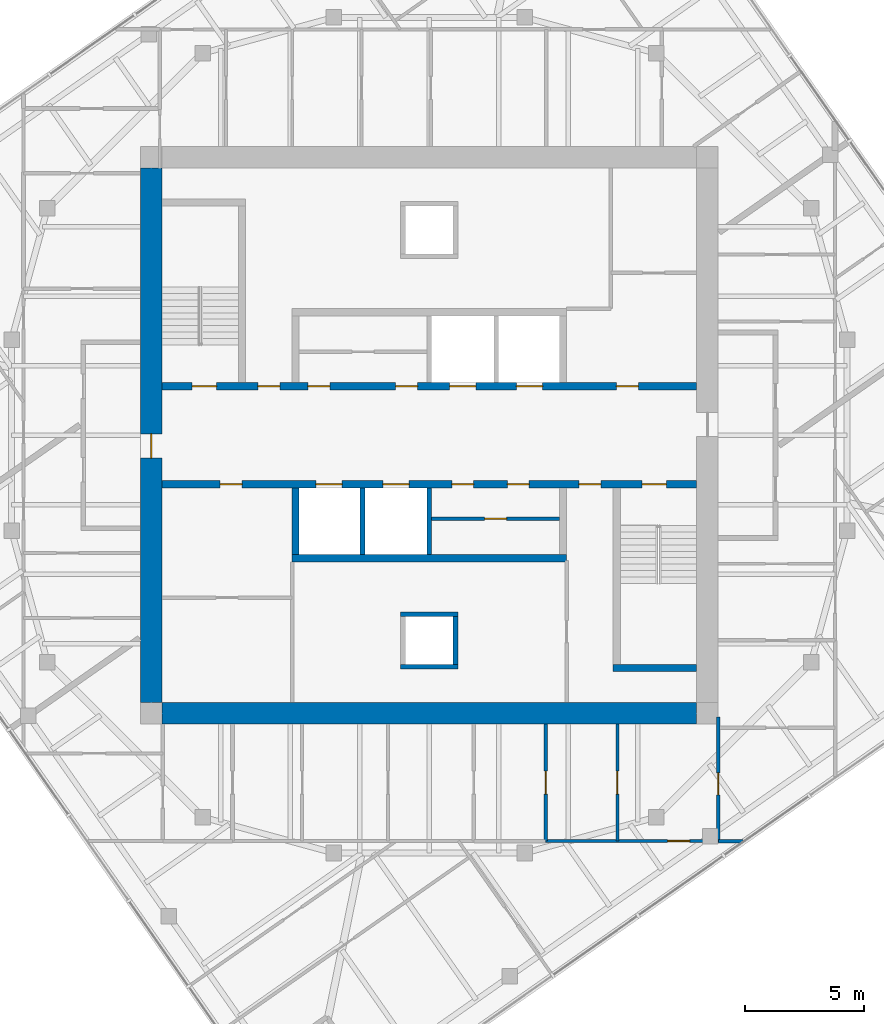
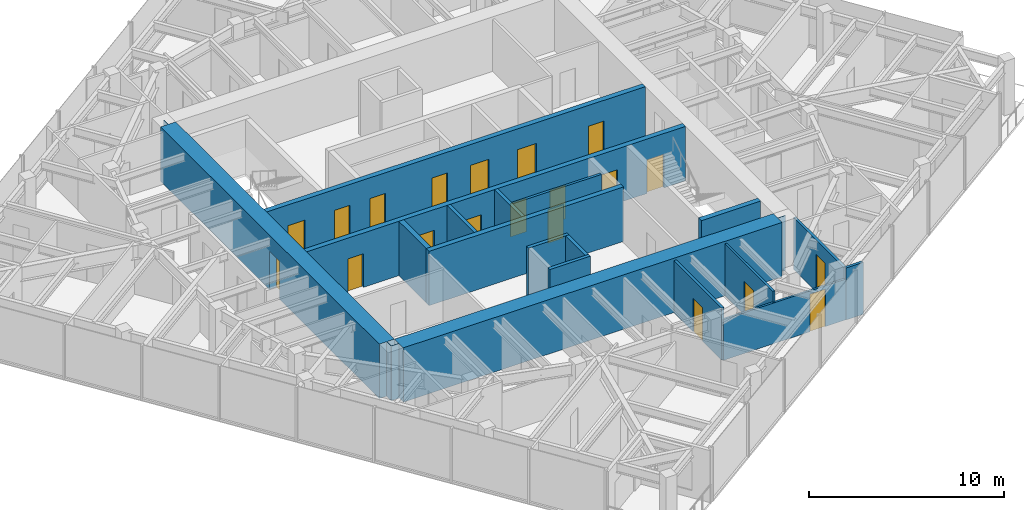
# One storey, part 8 of 12: 20 doors, 18 walls, 20 openings.
"""IFC4 building model written with IfcOpenShell, lengths in metres."""

import ifcopenshell
import ifcopenshell.guid

model = None  # the IFC model being written
_history = None  # IfcOwnerHistory: only IFC2X3 demands one
_inside = {}  # id of a spatial element -> (the spatial element, [elements in it])
_under = {}  # id of a project, library or spatial element -> (it, [spatial elements below it])
_declared = {}  # id of a project -> (the project, [libraries it declares])
_typed = {}  # id of a type object -> (the type object, [elements of that type])
_made_of = {}  # id of a material, layer set ... -> (it, [elements and type objects made of it])


def new_model(schema):
    """Start an empty IFC model of exactly this schema.

    Asked for "IFC4X3", IfcOpenShell would pick the latest addendum, in which some entities
    have other attributes; the version numbers below select the first issue.
    IFC2X3 requires an IfcOwnerHistory on every rooted entity: one is made here for all.
    """
    global model, _history
    if schema == "IFC4X3":
        model = ifcopenshell.file(schema_version=(4, 3, 0, 0))
    else:
        model = ifcopenshell.file(schema=schema)
    _inside.clear()
    _under.clear()
    _declared.clear()
    _typed.clear()
    _made_of.clear()
    _history = None
    if model.schema == "IFC2X3":
        org = make("IfcOrganization", Name="unknown")
        user = make(
            "IfcPersonAndOrganization",
            ThePerson=make("IfcPerson", FamilyName="unknown"),
            TheOrganization=org,
        )
        app = make(
            "IfcApplication",
            ApplicationDeveloper=org,
            Version="unknown",
            ApplicationFullName="unknown",
            ApplicationIdentifier="unknown",
        )
        _history = make(
            "IfcOwnerHistory",
            OwningUser=user,
            OwningApplication=app,
            ChangeAction="ADDED",
            CreationDate=0,
        )
    return model


def make(cls, **values):
    """One entity of the class cls with the attributes given. An attribute that is None is left unset."""
    return model.create_entity(
        cls, **{name: value for name, value in values.items() if value is not None}
    )


def rooted(cls, **values):
    """An entity with a GlobalId (a new one), such as an element, a storey or a relation."""
    return make(cls, GlobalId=ifcopenshell.guid.new(), OwnerHistory=_history, **values)


def si_unit(unit_type, name, prefix=None):
    """IfcSIUnit, for example si_unit("LENGTHUNIT", "METRE", prefix="MILLI")."""
    return make("IfcSIUnit", UnitType=unit_type, Prefix=prefix, Name=name)


def assignment(units):
    """IfcUnitAssignment: the units of a project."""
    return None if units is None else make("IfcUnitAssignment", Units=units)


def point(xyz):
    """IfcCartesianPoint."""
    return None if xyz is None else make("IfcCartesianPoint", Coordinates=xyz)


def direction(xyz):
    """IfcDirection."""
    return None if xyz is None else make("IfcDirection", DirectionRatios=xyz)


def frame(location, z_axis=None, x_axis=None):
    """IfcAxis2Placement3D, a coordinate frame: its origin and axes. An axis left out is left unset."""
    return make(
        "IfcAxis2Placement3D",
        Location=point(location),
        Axis=direction(z_axis),
        RefDirection=direction(x_axis),
    )


def frame_2d(location, x_axis=None):
    """IfcAxis2Placement2D, a coordinate frame in the plane: its origin and x axis."""
    return make(
        "IfcAxis2Placement2D", Location=point(location), RefDirection=direction(x_axis)
    )


def origin():
    """The frame at (0, 0, 0) with its axes left unset."""
    return frame((0.0, 0.0, 0.0))


def place(relative_to, where):
    """IfcLocalPlacement: puts the frame where relative to a parent placement (None: the world)."""
    return make(
        "IfcLocalPlacement", PlacementRelTo=relative_to, RelativePlacement=where
    )


def context(
    kind, dimensions, precision=None, world=None, true_north=None, identifier=None
):
    """IfcGeometricRepresentationContext, for example the 3D "Model" context."""
    return make(
        "IfcGeometricRepresentationContext",
        ContextIdentifier=identifier,
        ContextType=kind,
        CoordinateSpaceDimension=dimensions,
        Precision=precision,
        WorldCoordinateSystem=world,
        TrueNorth=true_north,
    )


def subcontext(parent, identifier, kind, view, scale=None):
    """IfcGeometricRepresentationSubContext, for example "Body" below "Model"."""
    return make(
        "IfcGeometricRepresentationSubContext",
        ContextIdentifier=identifier,
        ContextType=kind,
        ParentContext=parent,
        TargetScale=scale,
        TargetView=view,
    )


def project(units=None, contexts=None):
    """IfcProject with its units and contexts."""
    return rooted(
        "IfcProject",
        Name="project",
        RepresentationContexts=contexts,
        UnitsInContext=assignment(units),
    )


def spatial(cls, under=None, at=None, **own):
    """A site, building, storey or space (cls), placed at a placement, below another one or the project."""
    s = rooted(cls, ObjectPlacement=at, **own)
    if under is not None:
        _under.setdefault(under.id(), (under, []))[1].append(s)
    return s


def polyline(points):
    """IfcPolyline through the points."""
    return make("IfcPolyline", Points=[point(p) for p in points])


def profile(cls, at=None, kind="AREA", **sizes):
    """A parametric profile (cls). Its sizes go by their IFC names, for example OverallWidth=200.0."""
    return make(cls, ProfileType=kind, Position=at, **sizes)


def rectangle(**sizes):
    """IfcRectangleProfileDef."""
    return profile("IfcRectangleProfileDef", **sizes)


def outline(outer, holes=None, kind="AREA"):
    """IfcArbitraryClosedProfileDef: a profile drawn as a closed curve; with holes, ...WithVoids."""
    if holes is None:
        return make("IfcArbitraryClosedProfileDef", ProfileType=kind, OuterCurve=outer)
    return make(
        "IfcArbitraryProfileDefWithVoids",
        ProfileType=kind,
        OuterCurve=outer,
        InnerCurves=holes,
    )


def extrude(swept, where, along, depth):
    """IfcExtrudedAreaSolid: the profile swept, set in the frame where, extruded along a direction by depth."""
    return make(
        "IfcExtrudedAreaSolid",
        SweptArea=swept,
        Position=where,
        ExtrudedDirection=direction(along),
        Depth=depth,
    )


def shape(context_of_items, identifier, shape_type, items):
    """IfcShapeRepresentation: the items that make up one representation, for example the "Body"."""
    return make(
        "IfcShapeRepresentation",
        ContextOfItems=context_of_items,
        RepresentationIdentifier=identifier,
        RepresentationType=shape_type,
        Items=items,
    )


def material(Name=None, Category=None):
    """IfcMaterial."""
    return make("IfcMaterial", Name=Name, Category=Category)


def layer(
    of_material, thickness, ventilated=None, Name=None, Category=None, Priority=None
):
    """IfcMaterialLayer: one layer of a wall or slab, of a material (None: an air gap)."""
    return make(
        "IfcMaterialLayer",
        Material=of_material,
        LayerThickness=thickness,
        IsVentilated=ventilated,
        Name=Name,
        Category=Category,
        Priority=Priority,
    )


def layer_set(layers, Name=None):
    """IfcMaterialLayerSet."""
    return make("IfcMaterialLayerSet", MaterialLayers=layers, LayerSetName=Name)


def made_of(thing, what):
    """Note that an element or type object is made of a material, layer set ...; save() writes the relation."""
    if what is not None:
        _made_of.setdefault(what.id(), (what, []))[1].append(thing)
    return thing


def type_object(cls, material=None, **own):
    """A type object (cls), such as IfcWallType, which elements share."""
    return made_of(rooted(cls, **own), material)


def element(
    cls,
    number,
    at=None,
    inside=None,
    cuts=None,
    type_object=None,
    material=None,
    context=None,
    identifier="Body",
    shape_type=None,
    held_by="IfcProductDefinitionShape",
    body=None,
    shapes=None,
    **own,
):
    """One element of the class cls, such as IfcWall. Its Tag is "e" and its number.

    at: its placement. inside: the storey or other place that contains it. cuts: it is an
    opening in that element (IfcRelVoidsElement). A single representation is given by context,
    identifier, shape_type and body (its items); several are given by shapes. held_by: the class
    of the entity that holds the representations. save() writes the other relations.
    """
    e = rooted(cls, Tag="e%d" % number, ObjectPlacement=at, **own)
    if body is not None:
        shapes = [shape(context, identifier, shape_type, body)]
    if shapes is not None:
        e.Representation = make(held_by, Representations=shapes)
    if inside is not None:
        _inside.setdefault(inside.id(), (inside, []))[1].append(e)
    if cuts is not None:
        rooted(
            "IfcRelVoidsElement", RelatingBuildingElement=cuts, RelatedOpeningElement=e
        )
    if type_object is not None:
        _typed.setdefault(type_object.id(), (type_object, []))[1].append(e)
    return made_of(e, material)


def fill(opening, filler):
    """IfcRelFillsElement: the door or window that sits in an opening."""
    return rooted(
        "IfcRelFillsElement",
        RelatingOpeningElement=opening,
        RelatedBuildingElement=filler,
    )


def aggregate(whole, parts):
    """IfcRelAggregates: a whole, such as a stair, and the parts it consists of."""
    return rooted("IfcRelAggregates", RelatingObject=whole, RelatedObjects=parts)


def save(model, path):
    """Write the relations noted so far, then the file.

    IfcRelAggregates (storeys below a building ...), IfcRelContainedInSpatialStructure (elements
    in a storey), IfcRelDefinesByType, IfcRelAssociatesMaterial and IfcRelDeclares: one each for
    every whole, place, type object, material and project.
    """
    for whole, parts in _under.values():
        aggregate(whole, parts)
    for where, things in _inside.values():
        rooted(
            "IfcRelContainedInSpatialStructure",
            RelatedElements=things,
            RelatingStructure=where,
        )
    for kind, things in _typed.values():
        rooted("IfcRelDefinesByType", RelatedObjects=things, RelatingType=kind)
    for what, things in _made_of.values():
        rooted("IfcRelAssociatesMaterial", RelatedObjects=things, RelatingMaterial=what)
    for by, libraries in _declared.values():
        rooted("IfcRelDeclares", RelatingContext=by, RelatedDefinitions=libraries)
    model.write(path)


model = new_model("IFC4")

# Units and contexts
model_context = context("Model", 3, precision=1e-05, world=origin(), true_north=direction((0.0, 1.0)))
body_context = subcontext(model_context, "Body", "Model", "MODEL_VIEW")
ifc_project = project(units=[si_unit("LENGTHUNIT", "METRE"), si_unit("AREAUNIT", "SQUARE_METRE"), si_unit("VOLUMEUNIT", "CUBIC_METRE"), si_unit("PLANEANGLEUNIT", "RADIAN"), si_unit("MASSUNIT", "GRAM", prefix="KILO")], contexts=[model_context])

# Site, building, storey
site_placement = place(None, origin())
site = spatial("IfcSite", under=ifc_project, at=site_placement, CompositionType="ELEMENT")
building_placement = place(site_placement, origin())
building = spatial("IfcBuilding", under=site, at=building_placement, Name="Torsade Residences", CompositionType="ELEMENT")
storey_placement = place(building_placement, frame((0.0, 0.0, 243.800048828125)))
storey = spatial("IfcBuildingStorey", under=building, at=storey_placement, Name="L67", CompositionType="ELEMENT", Elevation=243.800048828125)

# Wall, openings, doors
ifc_material_1 = material(Name="Concrete 80 MPa", Category="concrete")
ifc_layer_1 = layer(ifc_material_1, 0.300048828125)
ifc_layer_set_1 = layer_set([ifc_layer_1], Name="Concrete 80 MPa")
wall_type_1 = type_object("IfcWallType", Name="CORE INTERNAL WALL 300", PredefinedType="SHEAR", material=ifc_layer_set_1)
wall_1_placement = place(storey_placement, frame((28.800048828125, 32.050048828125, 0.0), z_axis=(0.0, 0.0, 1.0), x_axis=(1.0, 0.0, 0.0)))
wall_1 = element("IfcWall", 1, at=wall_1_placement, inside=storey, type_object=wall_type_1, Name="Core wall LN L67", PredefinedType="SHEAR", context=body_context, shape_type="SweptSolid", body=[
    extrude(rectangle(XDim=22.39990234375, YDim=0.300048828125, at=frame_2d((11.199951171875, 0.0))), origin(), (0.0, 0.0, 1.0), 3.39990234375),
])
opening_1_placement = place(wall_1_placement, frame((19.0400390625, 0.0, 0.0)))
opening_1 = element("IfcOpeningElement", 2, at=opening_1_placement, cuts=wall_1, Name="Opening D06", PredefinedType="OPENING", context=body_context, shape_type="SweptSolid", body=[
    extrude(rectangle(XDim=0.919921875, YDim=2.10009765625, at=frame_2d((0.4599609375, 1.050048828125))), frame((0.0, 0.159912109375, 0.0), z_axis=(0.0, -1.0, 0.0), x_axis=(1.0, 0.0, 0.0)), (0.0, 0.0, 1.0), 0.320068359375),
])
opening_2_placement = place(wall_1_placement, frame((1.264892578125, 0.0, 0.0)))
opening_2 = element("IfcOpeningElement", 3, at=opening_2_placement, cuts=wall_1, Name="Opening D03", PredefinedType="OPENING", context=body_context, shape_type="SweptSolid", body=[
    extrude(rectangle(XDim=1.02001953125, YDim=2.10009765625, at=frame_2d((0.510009765625, 1.050048828125))), frame((0.0, 0.159912109375, 0.0), z_axis=(0.0, -1.0, 0.0), x_axis=(1.0, 0.0, 0.0)), (0.0, 0.0, 1.0), 0.320068359375),
])
opening_3_placement = place(wall_1_placement, frame((4.014892578125, 0.0, 0.0)))
opening_3 = element("IfcOpeningElement", 4, at=opening_3_placement, cuts=wall_1, Name="Opening D06", PredefinedType="OPENING", context=body_context, shape_type="SweptSolid", body=[
    extrude(rectangle(XDim=0.919921875, YDim=2.10009765625, at=frame_2d((0.4599609375, 1.050048828125))), frame((0.0, 0.159912109375, 0.0), z_axis=(0.0, -1.0, 0.0), x_axis=(1.0, 0.0, 0.0)), (0.0, 0.0, 1.0), 0.320068359375),
])
opening_4_placement = place(wall_1_placement, frame((6.114990234375, 0.0, 0.0)))
opening_4 = element("IfcOpeningElement", 5, at=opening_4_placement, cuts=wall_1, Name="Opening D06", PredefinedType="OPENING", context=body_context, shape_type="SweptSolid", body=[
    extrude(rectangle(XDim=0.919921875, YDim=2.10009765625, at=frame_2d((0.4599609375, 1.050048828125))), frame((0.0, 0.159912109375, 0.0), z_axis=(0.0, -1.0, 0.0), x_axis=(1.0, 0.0, 0.0)), (0.0, 0.0, 1.0), 0.320068359375),
])
opening_5_placement = place(wall_1_placement, frame((9.7900390625, 0.0, 0.0)))
opening_5 = element("IfcOpeningElement", 6, at=opening_5_placement, cuts=wall_1, Name="Opening D06", PredefinedType="OPENING", context=body_context, shape_type="SweptSolid", body=[
    extrude(rectangle(XDim=0.919921875, YDim=2.10009765625, at=frame_2d((0.4599609375, 1.050048828125))), frame((0.0, 0.159912109375, 0.0), z_axis=(0.0, -1.0, 0.0), x_axis=(1.0, 0.0, 0.0)), (0.0, 0.0, 1.0), 0.320068359375),
])
opening_6_placement = place(wall_1_placement, frame((12.050048828125, 0.0, 0.0)))
opening_6 = element("IfcOpeningElement", 7, at=opening_6_placement, cuts=wall_1, Name="Opening LD", PredefinedType="OPENING", context=body_context, shape_type="SweptSolid", body=[
    extrude(rectangle(XDim=1.10009765625, YDim=2.10009765625, at=frame_2d((0.550048828125, 1.050048828125))), frame((0.0, 0.159912109375, 0.0), z_axis=(0.0, -1.0, 0.0), x_axis=(1.0, 0.0, 0.0)), (0.0, 0.0, 1.0), 0.320068359375),
])
opening_7_placement = place(wall_1_placement, frame((14.85009765625, 0.0, 0.0)))
opening_7 = element("IfcOpeningElement", 8, at=opening_7_placement, cuts=wall_1, Name="Opening LD", PredefinedType="OPENING", context=body_context, shape_type="SweptSolid", body=[
    extrude(rectangle(XDim=1.10009765625, YDim=2.10009765625, at=frame_2d((0.550048828125, 1.050048828125))), frame((0.0, 0.159912109375, 0.0), z_axis=(0.0, -1.0, 0.0), x_axis=(1.0, 0.0, 0.0)), (0.0, 0.0, 1.0), 0.320068359375),
])
ifc_material_2 = material(Name="Steel-framed fire door", Category="steel")
door_type_1 = type_object("IfcDoorType", Name="FIRE DOOR 1020", OperationType="NOTDEFINED", PredefinedType="DOOR", material=ifc_material_2)
door_1_placement = place(opening_2_placement, origin())
door_1 = element("IfcDoor", 9, at=door_1_placement, inside=storey, type_object=door_type_1, Name="Exit door to fire-isolated stair ST1 L67", OperationType="SINGLE_SWING_RIGHT", OverallHeight=2.10009765625, OverallWidth=1.02001953125, PredefinedType="DOOR", context=body_context, shape_type="SweptSolid", body=[
    extrude(rectangle(XDim=1.02001953125, YDim=2.10009765625, at=frame_2d((0.510009765625, 1.050048828125))), frame((0.0, 0.02490234375, 0.0), z_axis=(0.0, -1.0, 0.0), x_axis=(1.0, 0.0, 0.0)), (0.0, 0.0, 1.0), 0.050048828125),
])
fill(opening_2, door_1)
ifc_material_3 = material(Name="Steel-framed fire door", Category="steel")
door_type_2 = type_object("IfcDoorType", Name="FIRE DOOR 920", OperationType="NOTDEFINED", PredefinedType="DOOR", material=ifc_material_3)
door_2_placement = place(opening_1_placement, origin())
door_2 = element("IfcDoor", 10, at=door_2_placement, inside=storey, type_object=door_type_2, Name="Door Lift lobby to Refuse room", OperationType="SINGLE_SWING_LEFT", OverallHeight=2.10009765625, OverallWidth=0.919921875, PredefinedType="DOOR", context=body_context, shape_type="SweptSolid", body=[
    extrude(rectangle(XDim=0.919921875, YDim=2.10009765625, at=frame_2d((0.4599609375, 1.050048828125))), frame((0.0, 0.02490234375, 0.0), z_axis=(0.0, -1.0, 0.0), x_axis=(1.0, 0.0, 0.0)), (0.0, 0.0, 1.0), 0.050048828125),
])
fill(opening_1, door_2)
door_3_placement = place(opening_3_placement, origin())
door_3 = element("IfcDoor", 11, at=door_3_placement, inside=storey, type_object=door_type_2, Name="Door Lift lobby to Electrical riser room", OperationType="SINGLE_SWING_LEFT", OverallHeight=2.10009765625, OverallWidth=0.919921875, PredefinedType="DOOR", context=body_context, shape_type="SweptSolid", body=[
    extrude(rectangle(XDim=0.919921875, YDim=2.10009765625, at=frame_2d((0.4599609375, 1.050048828125))), frame((0.0, 0.02490234375, 0.0), z_axis=(0.0, -1.0, 0.0), x_axis=(1.0, 0.0, 0.0)), (0.0, 0.0, 1.0), 0.050048828125),
])
fill(opening_3, door_3)
door_4_placement = place(opening_4_placement, origin())
door_4 = element("IfcDoor", 12, at=door_4_placement, inside=storey, type_object=door_type_2, Name="Door Lift lobby to Residents storage L67A", OperationType="SINGLE_SWING_LEFT", OverallHeight=2.10009765625, OverallWidth=0.919921875, PredefinedType="DOOR", context=body_context, shape_type="SweptSolid", body=[
    extrude(rectangle(XDim=0.919921875, YDim=2.10009765625, at=frame_2d((0.4599609375, 1.050048828125))), frame((0.0, 0.02490234375, 0.0), z_axis=(0.0, -1.0, 0.0), x_axis=(1.0, 0.0, 0.0)), (0.0, 0.0, 1.0), 0.050048828125),
])
fill(opening_4, door_4)
door_5_placement = place(opening_5_placement, origin())
door_5 = element("IfcDoor", 13, at=door_5_placement, inside=storey, type_object=door_type_2, Name="Door Lift lobby to Residents storage L67A", OperationType="SINGLE_SWING_RIGHT", OverallHeight=2.10009765625, OverallWidth=0.919921875, PredefinedType="DOOR", context=body_context, shape_type="SweptSolid", body=[
    extrude(rectangle(XDim=0.919921875, YDim=2.10009765625, at=frame_2d((0.4599609375, 1.050048828125))), frame((0.0, 0.02490234375, 0.0), z_axis=(0.0, -1.0, 0.0), x_axis=(1.0, 0.0, 0.0)), (0.0, 0.0, 1.0), 0.050048828125),
])
fill(opening_5, door_5)
ifc_material_4 = material(Name="Stainless steel lift landing door", Category="steel")
door_type_3 = type_object("IfcDoorType", Name="LIFT LANDING DOOR 1100", OperationType="SLIDING_TO_LEFT", PredefinedType="DOOR", material=ifc_material_4)
door_6_placement = place(opening_6_placement, origin())
door_6 = element("IfcDoor", 14, at=door_6_placement, inside=storey, type_object=door_type_3, Name="Lift LA3 landing door L67", OperationType="SLIDING_TO_LEFT", OverallHeight=2.10009765625, OverallWidth=1.10009765625, PredefinedType="DOOR", context=body_context, shape_type="SweptSolid", body=[
    extrude(rectangle(XDim=1.10009765625, YDim=2.10009765625, at=frame_2d((0.550048828125, 1.050048828125))), frame((0.0, 0.02490234375, 0.0), z_axis=(0.0, -1.0, 0.0), x_axis=(1.0, 0.0, 0.0)), (0.0, 0.0, 1.0), 0.050048828125),
])
fill(opening_6, door_6)
door_7_placement = place(opening_7_placement, origin())
door_7 = element("IfcDoor", 15, at=door_7_placement, inside=storey, type_object=door_type_3, Name="Lift FL1 landing door L67", OperationType="SLIDING_TO_LEFT", OverallHeight=2.10009765625, OverallWidth=1.10009765625, PredefinedType="DOOR", context=body_context, shape_type="SweptSolid", body=[
    extrude(rectangle(XDim=1.10009765625, YDim=2.10009765625, at=frame_2d((0.550048828125, 1.050048828125))), frame((0.0, 0.02490234375, 0.0), z_axis=(0.0, -1.0, 0.0), x_axis=(1.0, 0.0, 0.0)), (0.0, 0.0, 1.0), 0.050048828125),
])
fill(opening_7, door_7)

wall_2_placement = place(storey_placement, frame((51.199951171875, 27.949951171875, 0.0), z_axis=(0.0, 0.0, 1.0), x_axis=(-1.0, 0.0, 0.0)))
wall_2 = element("IfcWall", 16, at=wall_2_placement, inside=storey, type_object=wall_type_1, Name="Core wall LS L67", PredefinedType="SHEAR", context=body_context, shape_type="SweptSolid", body=[
    extrude(rectangle(XDim=22.39990234375, YDim=0.300048828125, at=frame_2d((11.199951171875, 0.0))), origin(), (0.0, 0.0, 1.0), 3.39990234375),
])
opening_8_placement = place(wall_2_placement, frame((19.0400390625, 0.0, 0.0)))
opening_8 = element("IfcOpeningElement", 17, at=opening_8_placement, cuts=wall_2, Name="Opening D06", PredefinedType="OPENING", context=body_context, shape_type="SweptSolid", body=[
    extrude(rectangle(XDim=0.919921875, YDim=2.10009765625, at=frame_2d((0.4599609375, 1.050048828125))), frame((0.0, 0.159912109375, 0.0), z_axis=(0.0, -1.0, 0.0), x_axis=(1.0, 0.0, 0.0)), (0.0, 0.0, 1.0), 0.320068359375),
])
opening_9_placement = place(wall_2_placement, frame((1.264892578125, 0.0, 0.0)))
opening_9 = element("IfcOpeningElement", 18, at=opening_9_placement, cuts=wall_2, Name="Opening D03", PredefinedType="OPENING", context=body_context, shape_type="SweptSolid", body=[
    extrude(rectangle(XDim=1.02001953125, YDim=2.10009765625, at=frame_2d((0.510009765625, 1.050048828125))), frame((0.0, 0.159912109375, 0.0), z_axis=(0.0, -1.0, 0.0), x_axis=(1.0, 0.0, 0.0)), (0.0, 0.0, 1.0), 0.320068359375),
])
opening_10_placement = place(wall_2_placement, frame((4.014892578125, 0.0, 0.0)))
opening_10 = element("IfcOpeningElement", 19, at=opening_10_placement, cuts=wall_2, Name="Opening D06", PredefinedType="OPENING", context=body_context, shape_type="SweptSolid", body=[
    extrude(rectangle(XDim=0.919921875, YDim=2.10009765625, at=frame_2d((0.4599609375, 1.050048828125))), frame((0.0, 0.159912109375, 0.0), z_axis=(0.0, -1.0, 0.0), x_axis=(1.0, 0.0, 0.0)), (0.0, 0.0, 1.0), 0.320068359375),
])
opening_11_placement = place(wall_2_placement, frame((9.340087890625, 0.0, 0.0)))
opening_11 = element("IfcOpeningElement", 20, at=opening_11_placement, cuts=wall_2, Name="Opening D06", PredefinedType="OPENING", context=body_context, shape_type="SweptSolid", body=[
    extrude(rectangle(XDim=0.919921875, YDim=2.10009765625, at=frame_2d((0.4599609375, 1.050048828125))), frame((0.0, 0.159912109375, 0.0), z_axis=(0.0, -1.0, 0.0), x_axis=(1.0, 0.0, 0.0)), (0.0, 0.0, 1.0), 0.320068359375),
])
opening_12_placement = place(wall_2_placement, frame((7.014892578125, 0.0, 0.0)))
opening_12 = element("IfcOpeningElement", 21, at=opening_12_placement, cuts=wall_2, Name="Opening D06", PredefinedType="OPENING", context=body_context, shape_type="SweptSolid", body=[
    extrude(rectangle(XDim=0.919921875, YDim=2.10009765625, at=frame_2d((0.4599609375, 1.050048828125))), frame((0.0, 0.159912109375, 0.0), z_axis=(0.0, -1.0, 0.0), x_axis=(1.0, 0.0, 0.0)), (0.0, 0.0, 1.0), 0.320068359375),
])
opening_13_placement = place(wall_2_placement, frame((12.050048828125, 0.0, 0.0)))
opening_13 = element("IfcOpeningElement", 22, at=opening_13_placement, cuts=wall_2, Name="Opening LD", PredefinedType="OPENING", context=body_context, shape_type="SweptSolid", body=[
    extrude(rectangle(XDim=1.10009765625, YDim=2.10009765625, at=frame_2d((0.550048828125, 1.050048828125))), frame((0.0, 0.159912109375, 0.0), z_axis=(0.0, -1.0, 0.0), x_axis=(1.0, 0.0, 0.0)), (0.0, 0.0, 1.0), 0.320068359375),
])
opening_14_placement = place(wall_2_placement, frame((14.85009765625, 0.0, 0.0)))
opening_14 = element("IfcOpeningElement", 23, at=opening_14_placement, cuts=wall_2, Name="Opening LD", PredefinedType="OPENING", context=body_context, shape_type="SweptSolid", body=[
    extrude(rectangle(XDim=1.10009765625, YDim=2.10009765625, at=frame_2d((0.550048828125, 1.050048828125))), frame((0.0, 0.159912109375, 0.0), z_axis=(0.0, -1.0, 0.0), x_axis=(1.0, 0.0, 0.0)), (0.0, 0.0, 1.0), 0.320068359375),
])
door_8_placement = place(opening_9_placement, origin())
door_8 = element("IfcDoor", 24, at=door_8_placement, inside=storey, type_object=door_type_1, Name="Exit door to fire-isolated stair ST2 L67", OperationType="SINGLE_SWING_RIGHT", OverallHeight=2.10009765625, OverallWidth=1.02001953125, PredefinedType="DOOR", context=body_context, shape_type="SweptSolid", body=[
    extrude(rectangle(XDim=1.02001953125, YDim=2.10009765625, at=frame_2d((0.510009765625, 1.050048828125))), frame((0.0, 0.02490234375, 0.0), z_axis=(0.0, -1.0, 0.0), x_axis=(1.0, 0.0, 0.0)), (0.0, 0.0, 1.0), 0.050048828125),
])
fill(opening_9, door_8)
door_9_placement = place(opening_8_placement, origin())
door_9 = element("IfcDoor", 25, at=door_9_placement, inside=storey, type_object=door_type_2, Name="Door Lift lobby to Cleaner store", OperationType="SINGLE_SWING_LEFT", OverallHeight=2.10009765625, OverallWidth=0.919921875, PredefinedType="DOOR", context=body_context, shape_type="SweptSolid", body=[
    extrude(rectangle(XDim=0.919921875, YDim=2.10009765625, at=frame_2d((0.4599609375, 1.050048828125))), frame((0.0, 0.02490234375, 0.0), z_axis=(0.0, -1.0, 0.0), x_axis=(1.0, 0.0, 0.0)), (0.0, 0.0, 1.0), 0.050048828125),
])
fill(opening_8, door_9)
door_10_placement = place(opening_10_placement, origin())
door_10 = element("IfcDoor", 26, at=door_10_placement, inside=storey, type_object=door_type_2, Name="Door Lift lobby to Security and data store", OperationType="SINGLE_SWING_RIGHT", OverallHeight=2.10009765625, OverallWidth=0.919921875, PredefinedType="DOOR", context=body_context, shape_type="SweptSolid", body=[
    extrude(rectangle(XDim=0.919921875, YDim=2.10009765625, at=frame_2d((0.4599609375, 1.050048828125))), frame((0.0, 0.02490234375, 0.0), z_axis=(0.0, -1.0, 0.0), x_axis=(1.0, 0.0, 0.0)), (0.0, 0.0, 1.0), 0.050048828125),
])
fill(opening_10, door_10)
door_11_placement = place(opening_11_placement, origin())
door_11 = element("IfcDoor", 27, at=door_11_placement, inside=storey, type_object=door_type_2, Name="Door Lift lobby to Residents storage L67C", OperationType="SINGLE_SWING_RIGHT", OverallHeight=2.10009765625, OverallWidth=0.919921875, PredefinedType="DOOR", context=body_context, shape_type="SweptSolid", body=[
    extrude(rectangle(XDim=0.919921875, YDim=2.10009765625, at=frame_2d((0.4599609375, 1.050048828125))), frame((0.0, 0.02490234375, 0.0), z_axis=(0.0, -1.0, 0.0), x_axis=(1.0, 0.0, 0.0)), (0.0, 0.0, 1.0), 0.050048828125),
])
fill(opening_11, door_11)
door_12_placement = place(opening_12_placement, origin())
door_12 = element("IfcDoor", 28, at=door_12_placement, inside=storey, type_object=door_type_2, Name="Door Lift lobby to Residents storage L67C", OperationType="SINGLE_SWING_RIGHT", OverallHeight=2.10009765625, OverallWidth=0.919921875, PredefinedType="DOOR", context=body_context, shape_type="SweptSolid", body=[
    extrude(rectangle(XDim=0.919921875, YDim=2.10009765625, at=frame_2d((0.4599609375, 1.050048828125))), frame((0.0, 0.02490234375, 0.0), z_axis=(0.0, -1.0, 0.0), x_axis=(1.0, 0.0, 0.0)), (0.0, 0.0, 1.0), 0.050048828125),
])
fill(opening_12, door_12)
door_13_placement = place(opening_13_placement, origin())
door_13 = element("IfcDoor", 29, at=door_13_placement, inside=storey, type_object=door_type_3, Name="Lift LB3 landing door L67", OperationType="SLIDING_TO_LEFT", OverallHeight=2.10009765625, OverallWidth=1.10009765625, PredefinedType="DOOR", context=body_context, shape_type="SweptSolid", body=[
    extrude(rectangle(XDim=1.10009765625, YDim=2.10009765625, at=frame_2d((0.550048828125, 1.050048828125))), frame((0.0, 0.02490234375, 0.0), z_axis=(0.0, -1.0, 0.0), x_axis=(1.0, 0.0, 0.0)), (0.0, 0.0, 1.0), 0.050048828125),
])
fill(opening_13, door_13)
door_14_placement = place(opening_14_placement, origin())
door_14 = element("IfcDoor", 30, at=door_14_placement, inside=storey, type_object=door_type_3, Name="Lift FL2 landing door L67", OperationType="SLIDING_TO_LEFT", OverallHeight=2.10009765625, OverallWidth=1.10009765625, PredefinedType="DOOR", context=body_context, shape_type="SweptSolid", body=[
    extrude(rectangle(XDim=1.10009765625, YDim=2.10009765625, at=frame_2d((0.550048828125, 1.050048828125))), frame((0.0, 0.02490234375, 0.0), z_axis=(0.0, -1.0, 0.0), x_axis=(1.0, 0.0, 0.0)), (0.0, 0.0, 1.0), 0.050048828125),
])
fill(opening_14, door_14)

# Walls
wall_3_placement = place(storey_placement, frame((45.75, 24.85009765625, 0.0), z_axis=(0.0, 0.0, 1.0), x_axis=(-1.0, 0.0, 0.0)))
element("IfcWall", 31, at=wall_3_placement, inside=storey, type_object=wall_type_1, Name="Core wall BS L67", PredefinedType="SHEAR", context=body_context, shape_type="SweptSolid", body=[
    extrude(rectangle(XDim=11.5, YDim=0.300048828125, at=frame_2d((5.75, 0.0))), origin(), (0.0, 0.0, 1.0), 3.39990234375),
])
wall_4_placement = place(storey_placement, frame((34.39990234375, 27.800048828125, 0.0), z_axis=(0.0, 0.0, 1.0), x_axis=(0.0, -1.0, 0.0)))
element("IfcWall", 32, at=wall_4_placement, inside=storey, type_object=wall_type_1, Name="Core wall DS4 L67", PredefinedType="SHEAR", context=body_context, shape_type="SweptSolid", body=[
    extrude(rectangle(XDim=2.800048828125, YDim=0.300048828125, at=frame_2d((1.39990234375, 0.0))), origin(), (0.0, 0.0, 1.0), 3.39990234375),
])
wall_5_placement = place(storey_placement, frame((51.199951171875, 20.25, 0.0), z_axis=(0.0, 0.0, 1.0), x_axis=(-1.0, 0.0, 0.0)))
element("IfcWall", 33, at=wall_5_placement, inside=storey, type_object=wall_type_1, Name="Core wall ST2S L67", PredefinedType="SHEAR", context=body_context, shape_type="SweptSolid", body=[
    extrude(rectangle(XDim=3.5, YDim=0.300048828125, at=frame_2d((1.75, 0.0))), origin(), (0.0, 0.0, 1.0), 3.39990234375),
])
ifc_material_5 = material(Name="Concrete 80 MPa", Category="concrete")
ifc_layer_2 = layer(ifc_material_5, 0.89990234375)
ifc_layer_set_2 = layer_set([ifc_layer_2], Name="Concrete 80 MPa")
wall_type_2 = type_object("IfcWallType", Name="CORE WALL 900", PredefinedType="SHEAR", material=ifc_layer_set_2)
wall_6_placement = place(storey_placement, frame((51.199951171875, 18.35009765625, 0.0), z_axis=(0.0, 0.0, 1.0), x_axis=(-1.0, 0.0, 0.0)))
element("IfcWall", 34, at=wall_6_placement, inside=storey, type_object=wall_type_2, Name="Core wall S L67", PredefinedType="SHEAR", context=body_context, shape_type="SweptSolid", body=[
    extrude(outline(polyline([(0.0, -0.449951171875), (22.39990234375, -0.449951171875), (22.39990234375, -0.02490234375), (22.849853515625, -0.02490234375), (22.849853515625, 0.02490234375), (22.39990234375, 0.02490234375), (22.39990234375, 0.449951171875), (0.0, 0.449951171875), (0.0, 0.02490234375), (-0.449951171875, 0.02490234375), (-0.449951171875, -0.02490234375), (0.0, -0.02490234375), (0.0, -0.449951171875)])), origin(), (0.0, 0.0, 1.0), 3.39990234375),
])

# Wall, opening, door
wall_7_placement = place(storey_placement, frame((28.35009765625, 41.199951171875, 0.0), z_axis=(0.0, 0.0, 1.0), x_axis=(0.0, -1.0, 0.0)))
wall_7 = element("IfcWall", 35, at=wall_7_placement, inside=storey, type_object=wall_type_2, Name="Core wall W L67", PredefinedType="SHEAR", context=body_context, shape_type="SweptSolid", body=[
    extrude(outline(polyline([(0.0, -0.449951171875), (22.39990234375, -0.449951171875), (22.39990234375, -0.02490234375), (22.849853515625, -0.02490234375), (22.849853515625, 0.02490234375), (22.39990234375, 0.02490234375), (22.39990234375, 0.449951171875), (0.0, 0.449951171875), (0.0, 0.02490234375), (-0.449951171875, 0.02490234375), (-0.449951171875, -0.02490234375), (0.0, -0.02490234375), (0.0, -0.449951171875)])), origin(), (0.0, 0.0, 1.0), 3.39990234375),
])
opening_15_placement = place(wall_7_placement, frame((11.139892578125, 0.0, 0.0)))
opening_15 = element("IfcOpeningElement", 36, at=opening_15_placement, cuts=wall_7, Name="Opening D04", PredefinedType="OPENING", context=body_context, shape_type="SweptSolid", body=[
    extrude(rectangle(XDim=1.02001953125, YDim=2.39990234375, at=frame_2d((0.510009765625, 1.199951171875))), frame((0.0, 0.4599609375, 0.0), z_axis=(0.0, -1.0, 0.0), x_axis=(1.0, 0.0, 0.0)), (0.0, 0.0, 1.0), 0.919921875),
])
ifc_material_6 = material(Name="Steel-framed fire door", Category="steel")
door_type_4 = type_object("IfcDoorType", Name="LOBBY SMOKE DOOR 1020x2400", OperationType="NOTDEFINED", PredefinedType="DOOR", material=ifc_material_6)
door_15_placement = place(opening_15_placement, origin())
door_15 = element("IfcDoor", 37, at=door_15_placement, inside=storey, type_object=door_type_4, Name="Lift lobby door W L67", OperationType="SINGLE_SWING_RIGHT", OverallHeight=2.39990234375, OverallWidth=1.02001953125, PredefinedType="DOOR", context=body_context, shape_type="SweptSolid", body=[
    extrude(rectangle(XDim=1.02001953125, YDim=2.39990234375, at=frame_2d((0.510009765625, 1.199951171875))), frame((0.0, 0.02490234375, 0.0), z_axis=(0.0, -1.0, 0.0), x_axis=(1.0, 0.0, 0.0)), (0.0, 0.0, 1.0), 0.050048828125),
])
fill(opening_15, door_15)

# Walls
ifc_material_7 = material(Name="Reinforced blockwork", Category="masonry")
ifc_layer_3 = layer(ifc_material_7, 0.199951171875)
ifc_layer_set_3 = layer_set([ifc_layer_3], Name="Reinforced blockwork")
wall_type_3 = type_object("IfcWallType", Name="LIFT SHAFT DIVIDING WALL 200", PredefinedType="SOLIDWALL", material=ifc_layer_set_3)
for number, where, z_axis, x_axis, name in (
    (38, (40.0, 27.800048828125, 0.0), (0.0, 0.0, 1.0), (0.0, -1.0, 0.0), "Core wall DS2 L67"),
    (39, (37.199951171875, 27.800048828125, 0.0), (0.0, 0.0, 1.0), (0.0, -1.0, 0.0), "Core wall DS3 L67"),
):
    element("IfcWall", number, at=place(storey_placement, frame(where, z_axis=z_axis, x_axis=x_axis)), inside=storey, type_object=wall_type_3, Name=name, PredefinedType="SOLIDWALL", context=body_context, shape_type="SweptSolid", body=[
        extrude(rectangle(XDim=2.800048828125, YDim=0.199951171875, at=frame_2d((1.39990234375, 0.0))), origin(), (0.0, 0.0, 1.0), 3.39990234375),
    ])

# Wall, opening, door
ifc_material_8 = material(Name="Plasterboard on steel stud", Category="steel")
ifc_layer_4 = layer(ifc_material_8, 0.1201171875)
ifc_layer_set_4 = layer_set([ifc_layer_4], Name="Plasterboard on steel stud")
wall_type_4 = type_object("IfcWallType", Name="PARTITION 120", PredefinedType="PARTITIONING", material=ifc_layer_set_4)
wall_8_placement = place(storey_placement, frame((47.87841796875, 17.89990234375, 0.0), z_axis=(0.0, 0.0, 1.0), x_axis=(0.0, -1.0, 0.0)))
wall_8 = element("IfcWall", 40, at=wall_8_placement, inside=storey, type_object=wall_type_4, Name="Partition L67", PredefinedType="PARTITIONING", context=body_context, shape_type="SweptSolid", body=[
    extrude(rectangle(XDim=4.89990234375, YDim=0.1201171875, at=frame_2d((2.449951171875, 0.0))), origin(), (0.0, 0.0, 1.0), 3.25),
])
opening_16_placement = place(wall_8_placement, frame((1.969970703125, 0.0, 0.0)))
opening_16 = element("IfcOpeningElement", 41, at=opening_16_placement, cuts=wall_8, Name="Opening D05", PredefinedType="OPENING", context=body_context, shape_type="SweptSolid", body=[
    extrude(rectangle(XDim=0.9599609375, YDim=2.10009765625, at=frame_2d((0.47998046875, 1.050048828125))), frame((0.0, 0.070068359375, 0.0), z_axis=(0.0, -1.0, 0.0), x_axis=(1.0, 0.0, 0.0)), (0.0, 0.0, 1.0), 0.14013671875),
])
ifc_material_9 = material(Name="Hollow-core timber door in a steel cavity frame", Category="steel")
door_type_5 = type_object("IfcDoorType", Name="BATHROOM CAVITY SLIDING DOOR 960", OperationType="SLIDING_TO_LEFT", PredefinedType="DOOR", material=ifc_material_9)
door_16_placement = place(opening_16_placement, origin())
door_16 = element("IfcDoor", 42, at=door_16_placement, inside=storey, type_object=door_type_5, Name="Door Study to Laundry", OperationType="SLIDING_TO_LEFT", OverallHeight=2.10009765625, OverallWidth=0.9599609375, PredefinedType="DOOR", context=body_context, shape_type="SweptSolid", body=[
    extrude(rectangle(XDim=0.9599609375, YDim=2.10009765625, at=frame_2d((0.47998046875, 1.050048828125))), frame((0.0, 0.02490234375, 0.0), z_axis=(0.0, -1.0, 0.0), x_axis=(1.0, 0.0, 0.0)), (0.0, 0.0, 1.0), 0.050048828125),
])
fill(opening_16, door_16)

wall_9_placement = place(storey_placement, frame((52.10888671875, 13.0, 0.0), z_axis=(0.0, 0.0, 1.0), x_axis=(-1.0, 0.0, 0.0)))
wall_9 = element("IfcWall", 43, at=wall_9_placement, inside=storey, type_object=wall_type_4, Name="Partition L67", PredefinedType="PARTITIONING", context=body_context, shape_type="SweptSolid", body=[
    extrude(rectangle(XDim=7.237548828125, YDim=0.1201171875, at=frame_2d((3.61865234375, 0.0))), origin(), (0.0, 0.0, 1.0), 2.550048828125),
])
opening_17_placement = place(wall_9_placement, frame((1.205078125, 0.0, 0.0)))
opening_17 = element("IfcOpeningElement", 44, at=opening_17_placement, cuts=wall_9, Name="Opening D02", PredefinedType="OPENING", context=body_context, shape_type="SweptSolid", body=[
    extrude(rectangle(XDim=0.919921875, YDim=2.340087890625, at=frame_2d((0.4599609375, 1.169921875))), frame((0.0, 0.070068359375, 0.0), z_axis=(0.0, -1.0, 0.0), x_axis=(1.0, 0.0, 0.0)), (0.0, 0.0, 1.0), 0.14013671875),
])
ifc_material_10 = material(Name="Hollow-core timber door", Category="wood")
door_type_6 = type_object("IfcDoorType", Name="INTERNAL DOOR 920x2340", OperationType="NOTDEFINED", PredefinedType="DOOR", material=ifc_material_10)
door_17_placement = place(opening_17_placement, origin())
door_17 = element("IfcDoor", 45, at=door_17_placement, inside=storey, type_object=door_type_6, Name="Door Study to Study 2", OperationType="SINGLE_SWING_LEFT", OverallHeight=2.340087890625, OverallWidth=0.919921875, PredefinedType="DOOR", context=body_context, shape_type="SweptSolid", body=[
    extrude(rectangle(XDim=0.919921875, YDim=2.340087890625, at=frame_2d((0.4599609375, 1.169921875))), frame((0.0, 0.02490234375, 0.0), z_axis=(0.0, -1.0, 0.0), x_axis=(1.0, 0.0, 0.0)), (0.0, 0.0, 1.0), 0.050048828125),
])
fill(opening_17, door_17)

# Walls
ifc_material_11 = material(Name="Reinforced blockwork", Category="masonry")
ifc_layer_5 = layer(ifc_material_11, 0.199951171875)
ifc_layer_set_5 = layer_set([ifc_layer_5], Name="Reinforced blockwork")
wall_type_5 = type_object("IfcWallType", Name="RISER SHAFT WALL 200", PredefinedType="SOLIDWALL", material=ifc_layer_set_5)
wall_10_placement = place(storey_placement, frame((41.10009765625, 22.39990234375, 0.0), z_axis=(0.0, 0.0, 1.0), x_axis=(0.0, -1.0, 0.0)))
element("IfcWall", 46, at=wall_10_placement, inside=storey, type_object=wall_type_5, Name="Core wall RS2b L67", PredefinedType="SOLIDWALL", context=body_context, shape_type="SweptSolid", body=[
    extrude(rectangle(XDim=2.0, YDim=0.199951171875, at=frame_2d((1.0, 0.0))), origin(), (0.0, 0.0, 1.0), 3.39990234375),
])
for number, where, z_axis, x_axis, name in (
    (47, (38.800048828125, 22.5, 0.0), (0.0, 0.0, 1.0), (1.0, 0.0, 0.0), "Core wall RS2c L67"),
    (48, (38.800048828125, 20.300048828125, 0.0), (0.0, 0.0, 1.0), (1.0, 0.0, 0.0), "Core wall RS2d L67"),
):
    element("IfcWall", number, at=place(storey_placement, frame(where, z_axis=z_axis, x_axis=x_axis)), inside=storey, type_object=wall_type_5, Name=name, PredefinedType="SOLIDWALL", context=body_context, shape_type="SweptSolid", body=[
        extrude(rectangle(XDim=2.39990234375, YDim=0.199951171875, at=frame_2d((1.199951171875, 0.0))), origin(), (0.0, 0.0, 1.0), 3.39990234375),
    ])

# Wall, opening, door
ifc_material_12 = material(Name="Reinforced blockwork", Category="masonry")
ifc_layer_6 = layer(ifc_material_12, 0.14990234375)
ifc_layer_set_6 = layer_set([ifc_layer_6], Name="Reinforced blockwork")
wall_type_6 = type_object("IfcWallType", Name="SERVICE ROOM WALL 150", PredefinedType="SOLIDWALL", material=ifc_layer_set_6)
wall_11_placement = place(storey_placement, frame((44.871337890625, 13.0, 0.0), z_axis=(0.0, 0.0, 1.0), x_axis=(0.0, 1.0, 0.0)))
wall_11 = element("IfcWall", 49, at=wall_11_placement, inside=storey, type_object=wall_type_6, Name="Service room wall L67", PredefinedType="SOLIDWALL", context=body_context, shape_type="SweptSolid", body=[
    extrude(rectangle(XDim=4.89990234375, YDim=0.14990234375, at=frame_2d((2.449951171875, 0.0))), origin(), (0.0, 0.0, 1.0), 3.25),
])
opening_18_placement = place(wall_11_placement, frame((1.969970703125, 0.0, 0.0)))
opening_18 = element("IfcOpeningElement", 50, at=opening_18_placement, cuts=wall_11, Name="Opening D05", PredefinedType="OPENING", context=body_context, shape_type="SweptSolid", body=[
    extrude(rectangle(XDim=0.9599609375, YDim=2.10009765625, at=frame_2d((0.47998046875, 1.050048828125))), frame((0.0, 0.0849609375, 0.0), z_axis=(0.0, -1.0, 0.0), x_axis=(1.0, 0.0, 0.0)), (0.0, 0.0, 1.0), 0.169921875),
])
door_18_placement = place(opening_18_placement, origin())
door_18 = element("IfcDoor", 51, at=door_18_placement, inside=storey, type_object=door_type_5, Name="Door Laundry to Linen store 2", OperationType="SLIDING_TO_LEFT", OverallHeight=2.10009765625, OverallWidth=0.9599609375, PredefinedType="DOOR", context=body_context, shape_type="SweptSolid", body=[
    extrude(rectangle(XDim=0.9599609375, YDim=2.10009765625, at=frame_2d((0.47998046875, 1.050048828125))), frame((0.0, 0.02490234375, 0.0), z_axis=(0.0, -1.0, 0.0), x_axis=(1.0, 0.0, 0.0)), (0.0, 0.0, 1.0), 0.050048828125),
])
fill(opening_18, door_18)

wall_12_placement = place(storey_placement, frame((52.10888671875, 18.193603515625, 0.0), z_axis=(0.0, 0.0, 1.0), x_axis=(0.0, -1.0, 0.0)))
wall_12 = element("IfcWall", 52, at=wall_12_placement, inside=storey, type_object=wall_type_6, Name="Service room wall L67", PredefinedType="SOLIDWALL", context=body_context, shape_type="SweptSolid", body=[
    extrude(rectangle(XDim=5.193603515625, YDim=0.14990234375, at=frame_2d((2.5966796875, 0.0))), origin(), (0.0, 0.0, 1.0), 3.25),
])
opening_19_placement = place(wall_12_placement, frame((2.336669921875, 0.0, 0.0)))
opening_19 = element("IfcOpeningElement", 53, at=opening_19_placement, cuts=wall_12, Name="Opening D02", PredefinedType="OPENING", context=body_context, shape_type="SweptSolid", body=[
    extrude(rectangle(XDim=0.919921875, YDim=2.340087890625, at=frame_2d((0.4599609375, 1.169921875))), frame((0.0, 0.0849609375, 0.0), z_axis=(0.0, -1.0, 0.0), x_axis=(1.0, 0.0, 0.0)), (0.0, 0.0, 1.0), 0.169921875),
])
door_19_placement = place(opening_19_placement, origin())
door_19 = element("IfcDoor", 54, at=door_19_placement, inside=storey, type_object=door_type_6, Name="Door Linen store 3 to Study", OperationType="SINGLE_SWING_LEFT", OverallHeight=2.340087890625, OverallWidth=0.919921875, PredefinedType="DOOR", context=body_context, shape_type="SweptSolid", body=[
    extrude(rectangle(XDim=0.919921875, YDim=2.340087890625, at=frame_2d((0.4599609375, 1.169921875))), frame((0.0, 0.02490234375, 0.0), z_axis=(0.0, -1.0, 0.0), x_axis=(1.0, 0.0, 0.0)), (0.0, 0.0, 1.0), 0.050048828125),
])
fill(opening_19, door_19)

# Wall
wall_13_placement = place(storey_placement, frame((53.1357421875, 13.0, 0.0), z_axis=(0.0, 0.0, 1.0), x_axis=(-1.0, 0.0, 0.0)))
element("IfcWall", 55, at=wall_13_placement, inside=storey, type_object=wall_type_6, Name="Service room wall L67", PredefinedType="SOLIDWALL", context=body_context, shape_type="SweptSolid", body=[
    extrude(rectangle(XDim=1.02685546875, YDim=0.14990234375, at=frame_2d((0.513427734375, 0.0))), origin(), (0.0, 0.0, 1.0), 3.25),
])

# Wall, opening, door
wall_14_placement = place(storey_placement, frame((40.10009765625, 26.5, 0.0), z_axis=(0.0, 0.0, 1.0), x_axis=(1.0, 0.0, 0.0)))
wall_14 = element("IfcWall", 56, at=wall_14_placement, inside=storey, type_object=wall_type_6, Name="Service room wall L67", PredefinedType="SOLIDWALL", context=body_context, shape_type="SweptSolid", body=[
    extrude(rectangle(XDim=5.349853515625, YDim=0.14990234375, at=frame_2d((2.6748046875, 0.0))), origin(), (0.0, 0.0, 1.0), 3.25),
])
opening_20_placement = place(wall_14_placement, frame((2.215087890625, 0.0, 0.0)))
opening_20 = element("IfcOpeningElement", 57, at=opening_20_placement, cuts=wall_14, Name="Opening D06", PredefinedType="OPENING", context=body_context, shape_type="SweptSolid", body=[
    extrude(rectangle(XDim=0.919921875, YDim=2.10009765625, at=frame_2d((0.4599609375, 1.050048828125))), frame((0.0, 0.0849609375, 0.0), z_axis=(0.0, -1.0, 0.0), x_axis=(1.0, 0.0, 0.0)), (0.0, 0.0, 1.0), 0.169921875),
])
door_20_placement = place(opening_20_placement, origin())
door_20 = element("IfcDoor", 58, at=door_20_placement, inside=storey, type_object=door_type_2, Name="Door Residents storage L67C to Records store L67D", OperationType="SINGLE_SWING_LEFT", OverallHeight=2.10009765625, OverallWidth=0.919921875, PredefinedType="DOOR", context=body_context, shape_type="SweptSolid", body=[
    extrude(rectangle(XDim=0.919921875, YDim=2.10009765625, at=frame_2d((0.4599609375, 1.050048828125))), frame((0.0, 0.02490234375, 0.0), z_axis=(0.0, -1.0, 0.0), x_axis=(1.0, 0.0, 0.0)), (0.0, 0.0, 1.0), 0.050048828125),
])
fill(opening_20, door_20)

save(model, "model.ifc")
